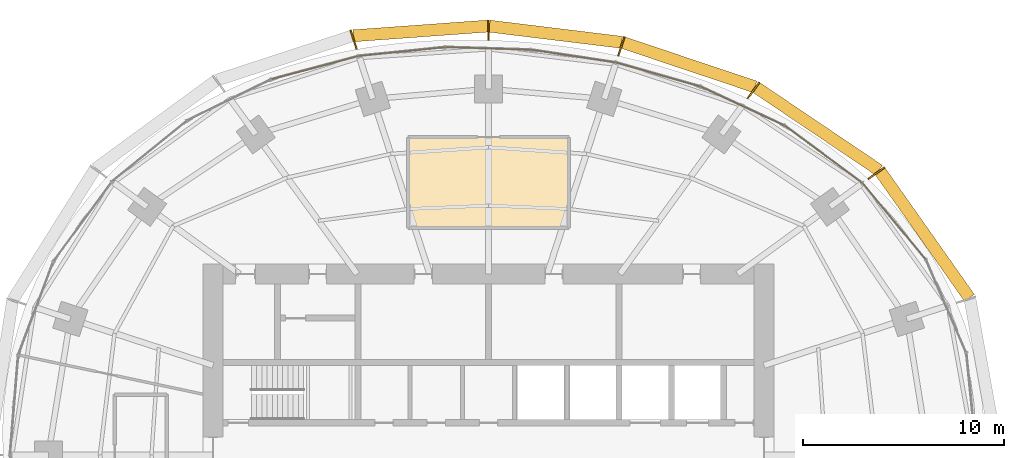
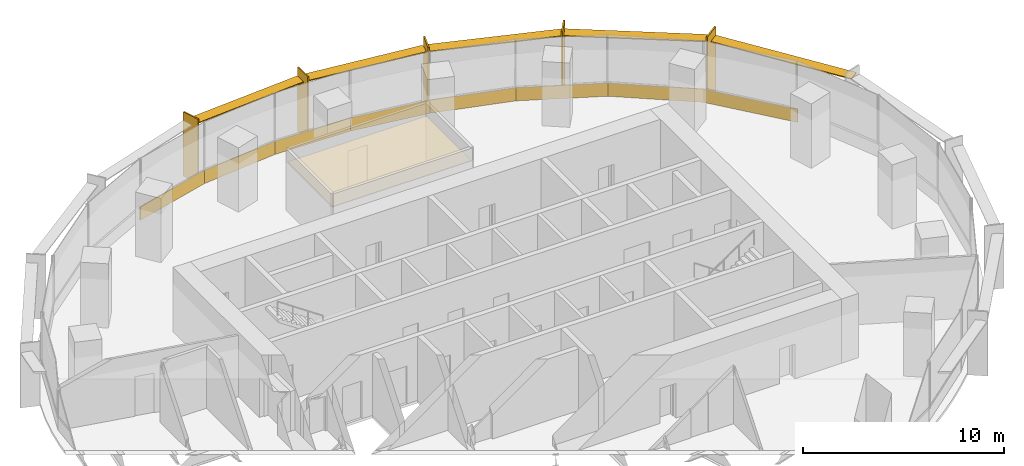
# One storey, part 14 of 14: 10 shading devices, 9 coverings.
"""IFC4 building model written with IfcOpenShell, lengths in metres."""

from ifc_helpers import new_model, si_unit, direction, frame, origin, origin_2d, place, context, subcontext, project, spatial, polyline, rectangle, outline, extrude, material, layer, layer_set, type_object, element, save


model = new_model("IFC4")

# Units and contexts
model_context = context("Model", 3, precision=1e-05, world=origin(), true_north=direction((0.0, 1.0)))
body_context = subcontext(model_context, "Body", "Model", "MODEL_VIEW")
ifc_project = project(units=[si_unit("LENGTHUNIT", "METRE"), si_unit("AREAUNIT", "SQUARE_METRE"), si_unit("VOLUMEUNIT", "CUBIC_METRE"), si_unit("PLANEANGLEUNIT", "RADIAN"), si_unit("MASSUNIT", "GRAM", prefix="KILO")], contexts=[model_context])

# Site, building, storey
site_placement = place(None, origin())
site = spatial("IfcSite", under=ifc_project, at=site_placement, CompositionType="ELEMENT")
building_placement = place(site_placement, origin())
building = spatial("IfcBuilding", under=site, at=building_placement, Name="Marramba Exchange Tower", CompositionType="ELEMENT")
storey_placement = place(building_placement, frame((0.0, 0.0, 215.0)))
storey = spatial("IfcBuildingStorey", under=building, at=storey_placement, Name="L52", CompositionType="ELEMENT", Elevation=215.0)

# Shading devices
ifc_material_1 = material(Name="Aluminium blade, timber-look bronze finish", Category="wood")
ifc_layer_1 = layer(ifc_material_1, 0.080078125)
ifc_layer_set_1 = layer_set([ifc_layer_1], Name="Floor-edge blade 1000x80")
shading_device_type_1 = type_object("IfcShadingDeviceType", Name="Floor-edge blade 1000x80", PredefinedType="USERDEFINED", material=ifc_layer_set_1)
for number, where, z_axis, x_axis, name in (
    (1, (19.298828125, 14.021484375, -0.159912109375), (0.0, 0.0, 1.0), (0.809016994375, 0.587785252292, 0.0), "Floor-edge blade FB1 L52 TC03"),
    (2, (13.176513671875, 18.135986328125, -0.159912109375), (0.0, 0.0, 1.0), (0.587785252292, 0.809016994375, 0.0), "Floor-edge blade FB1 L52 TC04"),
    (3, (6.605712890625, 20.330078125, -0.159912109375), (0.0, 0.0, 1.0), (0.309016994375, 0.951056516295, 0.0), "Floor-edge blade FB1 L52 TC05"),
    (4, (0.0, 21.13623046875, -0.159912109375), (0.0, 0.0, 1.0), (0.0, 1.0, 0.0), "Floor-edge blade FB1 L52 TC06"),
    (5, (-6.7119140625, 20.657470703125, -0.159912109375), (0.0, 0.0, 1.0), (-0.309016994375, 0.951056516295, 0.0), "Floor-edge blade FB1 L52 TC07"),
):
    element("IfcShadingDevice", number, at=place(storey_placement, frame(where, z_axis=z_axis, x_axis=x_axis)), inside=storey, type_object=shading_device_type_1, Name=name, ObjectType="FIN", PredefinedType="USERDEFINED", context=body_context, shape_type="SweptSolid", body=[
        extrude(rectangle(XDim=1.0, YDim=0.080078125, at=origin_2d()), origin(), (0.0, 0.0, 1.0), 3.89990234375),
    ])
ifc_material_2 = material(Name="Aluminium sunshade, bronze anodised", Category="aluminium")
ifc_layer_2 = layer(ifc_material_2, 0.06005859375)
ifc_layer_set_2 = layer_set([ifc_layer_2], Name="SUNSHADE blade 600x60")
shading_device_type_2 = type_object("IfcShadingDeviceType", Name="SUNSHADE blade 600x60", PredefinedType="USERDEFINED", material=ifc_layer_set_2)
shading_device_1_placement = place(storey_placement, frame((21.703857421875, 10.9599609375, 3.159912109375), z_axis=(0.0, 0.0, 1.0), x_axis=(-0.576555118613, 0.81705825692, 0.0)))
element("IfcShadingDevice", 6, at=shading_device_1_placement, inside=storey, type_object=shading_device_type_2, Name="Sunshade SS1 L52 bay 02", ObjectType="SUNSHADE", PredefinedType="USERDEFINED", context=body_context, shape_type="SweptSolid", body=[
    extrude(rectangle(XDim=7.70166015625, YDim=0.60009765625, at=origin_2d()), origin(), (0.0, 0.0, 1.0), 0.06005859375),
])
shading_device_2_placement = place(storey_placement, frame((16.37744140625, 16.218505859375, 3.159912109375), z_axis=(0.0, 0.0, 1.0), x_axis=(-0.829071447151, 0.559142679035, 0.0)))
element("IfcShadingDevice", 7, at=shading_device_2_placement, inside=storey, type_object=shading_device_type_2, Name="Sunshade SS1 L52 bay 03", ObjectType="SUNSHADE", PredefinedType="USERDEFINED", context=body_context, shape_type="SweptSolid", body=[
    extrude(rectangle(XDim=7.35791015625, YDim=0.60009765625, at=origin_2d()), origin(), (0.0, 0.0, 1.0), 0.06005859375),
])
shading_device_3_placement = place(storey_placement, frame((9.980712890625, 19.4091796875, 3.159912109375), z_axis=(0.0, 0.0, 1.0), x_axis=(-0.948096437223, 0.317982933073, 0.0)))
element("IfcShadingDevice", 8, at=shading_device_3_placement, inside=storey, type_object=shading_device_type_2, Name="Sunshade SS1 L52 bay 04", ObjectType="SUNSHADE", PredefinedType="USERDEFINED", context=body_context, shape_type="SweptSolid", body=[
    extrude(rectangle(XDim=6.909423828125, YDim=0.60009765625, at=origin_2d()), origin(), (0.0, 0.0, 1.0), 0.06005859375),
])
shading_device_4_placement = place(storey_placement, frame((3.333740234375, 20.92822265625, 3.159912109375), z_axis=(0.0, 0.0, 1.0), x_axis=(-0.992595256045, 0.121468751853, 0.0)))
element("IfcShadingDevice", 9, at=shading_device_4_placement, inside=storey, type_object=shading_device_type_2, Name="Sunshade SS1 L52 bay 05", ObjectType="SUNSHADE", PredefinedType="USERDEFINED", context=body_context, shape_type="SweptSolid", body=[
    extrude(rectangle(XDim=6.63720703125, YDim=0.60009765625, at=origin_2d()), origin(), (0.0, 0.0, 1.0), 0.06005859375),
])
shading_device_5_placement = place(storey_placement, frame((-3.386962890625, 21.092041015625, 3.159912109375), z_axis=(0.0, 0.0, 1.0), x_axis=(-0.997407641713, -0.071958295234, 0.0)))
element("IfcShadingDevice", 10, at=shading_device_5_placement, inside=storey, type_object=shading_device_type_2, Name="Sunshade SS1 L52 bay 06", ObjectType="SUNSHADE", PredefinedType="USERDEFINED", context=body_context, shape_type="SweptSolid", body=[
    extrude(rectangle(XDim=6.71142578125, YDim=0.60009765625, at=origin_2d()), origin(), (0.0, 0.0, 1.0), 0.06005859375),
])

# Coverings
ifc_material_3 = material(Name="Aluminium spandrel panel, bronze anodised, insulated", Category="aluminium")
ifc_layer_3 = layer(ifc_material_3, 0.050048828125)
ifc_layer_set_3 = layer_set([ifc_layer_3], Name="Spandrel panel 800")
covering_type_1 = type_object("IfcCoveringType", Name="Spandrel panel 800", PredefinedType="CLADDING", material=ifc_layer_set_3)
covering_1_placement = place(storey_placement, frame((20.193603515625, 11.608642578125, 0.0), z_axis=(0.0, 0.0, 1.0), x_axis=(-0.637350224586, 0.770574260678, 0.0)))
element("IfcCovering", 11, at=covering_1_placement, inside=storey, type_object=covering_type_1, Name="Spandrel panel SP1 L52 F03", PredefinedType="CLADDING", context=body_context, shape_type="SweptSolid", body=[
    extrude(rectangle(XDim=4.9658203125, YDim=0.050048828125, at=origin_2d()), origin(), (0.0, 0.0, 1.0), 0.800048828125),
])
covering_2_placement = place(storey_placement, frame((16.677001953125, 14.94775390625, 0.0), z_axis=(0.0, 0.0, 1.0), x_axis=(-0.804877256733, 0.593441321104, 0.0)))
element("IfcCovering", 12, at=covering_2_placement, inside=storey, type_object=covering_type_1, Name="Spandrel panel SP1 L52 F04", PredefinedType="CLADDING", context=body_context, shape_type="SweptSolid", body=[
    extrude(rectangle(XDim=4.805908203125, YDim=0.050048828125, at=origin_2d()), origin(), (0.0, 0.0, 1.0), 0.800048828125),
])
covering_3_placement = place(storey_placement, frame((12.65869140625, 17.344482421875, 0.0), z_axis=(0.0, 0.0, 1.0), x_axis=(-0.906533903661, 0.422133014005, 0.0)))
element("IfcCovering", 13, at=covering_3_placement, inside=storey, type_object=covering_type_1, Name="Spandrel panel SP1 L52 F05", PredefinedType="CLADDING", context=body_context, shape_type="SweptSolid", body=[
    extrude(rectangle(XDim=4.5986328125, YDim=0.050048828125, at=origin_2d()), origin(), (0.0, 0.0, 1.0), 0.800048828125),
])
covering_4_placement = place(storey_placement, frame((8.45849609375, 18.91845703125, 0.0), z_axis=(0.0, 0.0, 1.0), x_axis=(-0.961658952783, 0.274248169607, 0.0)))
element("IfcCovering", 14, at=covering_4_placement, inside=storey, type_object=covering_type_1, Name="Spandrel panel SP1 L52 F06", PredefinedType="CLADDING", context=body_context, shape_type="SweptSolid", body=[
    extrude(rectangle(XDim=4.39990234375, YDim=0.050048828125, at=origin_2d()), origin(), (0.0, 0.0, 1.0), 0.800048828125),
])
covering_5_placement = place(storey_placement, frame((4.230712890625, 19.839599609375, 0.0), z_axis=(0.0, 0.0, 1.0), x_axis=(-0.988868065308, 0.148794991224, 0.0)))
element("IfcCovering", 15, at=covering_5_placement, inside=storey, type_object=covering_type_1, Name="Spandrel panel SP1 L52 F07", PredefinedType="CLADDING", context=body_context, shape_type="SweptSolid", body=[
    extrude(rectangle(XDim=4.27197265625, YDim=0.050048828125, at=origin_2d()), origin(), (0.0, 0.0, 1.0), 0.800048828125),
])
covering_6_placement = place(storey_placement, frame((-0.0068359375, 20.221923828125, 0.0), z_axis=(0.0, 0.0, 1.0), x_axis=(-0.999537999985, 0.030393857689, 0.0)))
element("IfcCovering", 16, at=covering_6_placement, inside=storey, type_object=covering_type_1, Name="Spandrel panel SP1 L52 F08", PredefinedType="CLADDING", context=body_context, shape_type="SweptSolid", body=[
    extrude(rectangle(XDim=4.252685546875, YDim=0.050048828125, at=origin_2d()), origin(), (0.0, 0.0, 1.0), 0.800048828125),
])
covering_7_placement = place(storey_placement, frame((-4.290771484375, 20.06787109375, 0.0), z_axis=(0.0, 0.0, 1.0), x_axis=(-0.994900357732, -0.10086266993, 0.0)))
element("IfcCovering", 17, at=covering_7_placement, inside=storey, type_object=covering_type_1, Name="Spandrel panel SP1 L52 F09", PredefinedType="CLADDING", context=body_context, shape_type="SweptSolid", body=[
    extrude(rectangle(XDim=4.33935546875, YDim=0.050048828125, at=origin_2d()), origin(), (0.0, 0.0, 1.0), 0.800048828125),
])
covering_8_placement = place(storey_placement, frame((-8.620361328125, 19.27001953125, 0.0), z_axis=(0.0, 0.0, 1.0), x_axis=(-0.966240651433, -0.257641230237, 0.0)))
element("IfcCovering", 18, at=covering_8_placement, inside=storey, type_object=covering_type_1, Name="Spandrel panel SP1 L52 F10", PredefinedType="CLADDING", context=body_context, shape_type="SweptSolid", body=[
    extrude(rectangle(XDim=4.49365234375, YDim=0.050048828125, at=origin_2d()), origin(), (0.0, 0.0, 1.0), 0.800048828125),
])
ifc_material_4 = material(Name="Mineral fibre ceiling tiles", Category="gypsum")
ifc_layer_4 = layer(ifc_material_4, 0.02001953125)
ifc_layer_set_4 = layer_set([ifc_layer_4], Name="Suspended ceiling 20")
covering_type_2 = type_object("IfcCoveringType", Name="Suspended ceiling 20", PredefinedType="CEILING", material=ifc_layer_set_4)
covering_9_placement = place(storey_placement, frame((0.0, 0.0, 2.89990234375)))
element("IfcCovering", 19, at=covering_9_placement, inside=storey, type_object=covering_type_2, Name="Ceiling CL1 L52 Meeting Room", PredefinedType="CEILING", context=body_context, shape_type="SweptSolid", body=[
    extrude(outline(polyline([(4.0, 11.300048828125), (-4.0, 11.300048828125), (-4.0, 15.800048828125), (4.0, 15.800048828125), (4.0, 11.300048828125)])), origin(), (0.0, 0.0, 1.0), 0.02001953125),
])

save(model, "model.ifc")
